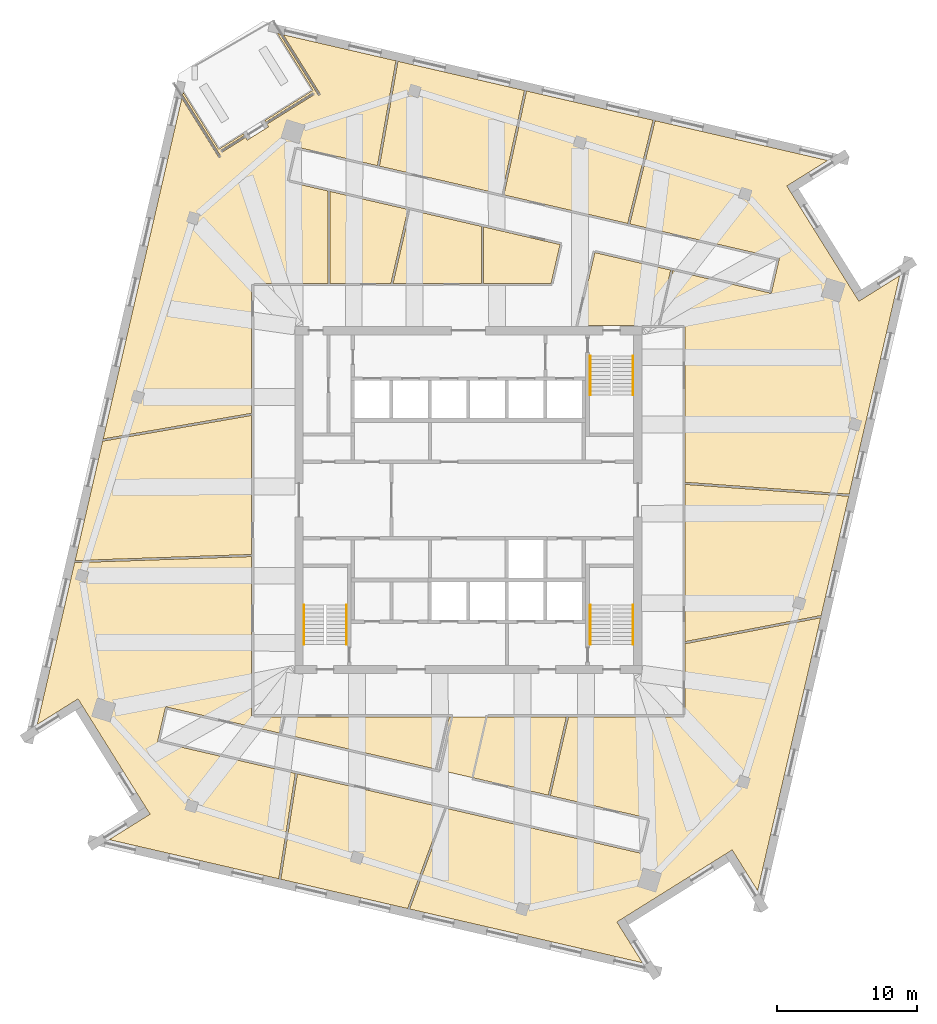
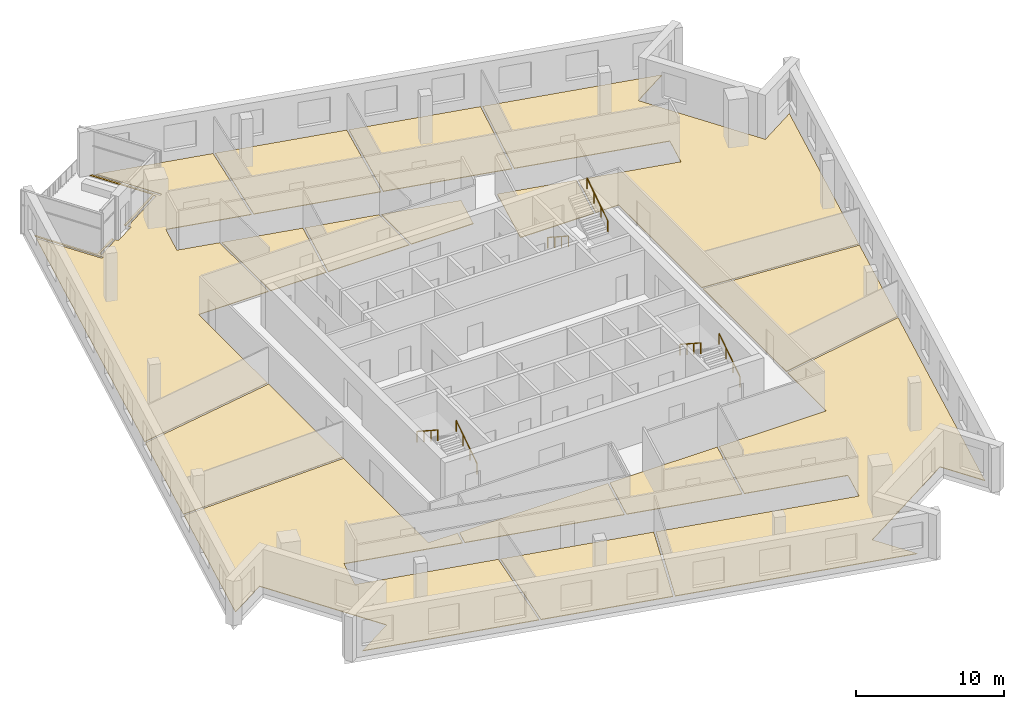
# One storey, part 12 of 14: 15 coverings, 6 railings.
"""IFC4 building model written with IfcOpenShell, lengths in metres."""

from ifc_helpers import new_model, si_unit, direction, frame, origin, origin_2d, place, context, subcontext, project, spatial, polyline, circle, outline, extrude, material, layer, layer_set, type_object, element, save


model = new_model("IFC4")

# Units and contexts
model_context = context("Model", 3, precision=1e-05, world=origin(), true_north=direction((0.0, 1.0)))
body_context = subcontext(model_context, "Body", "Model", "MODEL_VIEW")
ifc_project = project(units=[si_unit("LENGTHUNIT", "METRE"), si_unit("AREAUNIT", "SQUARE_METRE"), si_unit("VOLUMEUNIT", "CUBIC_METRE"), si_unit("PLANEANGLEUNIT", "RADIAN"), si_unit("MASSUNIT", "GRAM", prefix="KILO")], contexts=[model_context])

# Site, building, storey
site_placement = place(None, origin())
site = spatial("IfcSite", under=ifc_project, at=site_placement, CompositionType="ELEMENT")
building_placement = place(site_placement, origin())
building = spatial("IfcBuilding", under=site, at=building_placement, Name="Dilmun Exchange Tower", CompositionType="ELEMENT")
storey_placement = place(building_placement, frame((0.0, 0.0, 332.5)))
storey = spatial("IfcBuildingStorey", under=building, at=storey_placement, Name="L79", CompositionType="ELEMENT", Elevation=332.5)

# Coverings
ifc_material_1 = material(Name="Carpet floor finish 50")
ifc_layer_1 = layer(ifc_material_1, 0.050048828125)
ifc_layer_set_1 = layer_set([ifc_layer_1], Name="Carpet floor finish 50")
covering_type_1 = type_object("IfcCoveringType", Name="Carpet floor finish 50", PredefinedType="FLOORING", material=ifc_layer_set_1)
covering_1_placement = place(storey_placement, origin())
element("IfcCovering", 1, at=covering_1_placement, inside=storey, type_object=covering_type_1, Name="Carpet floor finish 50 Garden lounge", PredefinedType="FLOORING", context=body_context, shape_type="SweptSolid", body=[
    extrude(outline(polyline([(-17.828369140625, 25.053955078125), (-16.07958984375, 26.146728515625), (-16.00390625, 26.025390625), (-17.689208984375, 24.972412109375), (-17.689208984375, 24.972412109375), (-17.689453125, 24.97216796875), (-17.689453125, 24.97216796875), (-17.689697265625, 24.971923828125), (-17.689697265625, 24.9716796875), (-17.689697265625, 24.9716796875), (-17.68994140625, 24.971435546875), (-17.68994140625, 24.97119140625), (-17.68994140625, 24.970947265625), (-17.68994140625, 24.970703125), (-17.68994140625, 24.970703125), (-17.68994140625, 24.970458984375), (-17.68994140625, 24.97021484375), (-17.68994140625, 24.969970703125), (-17.689697265625, 24.969970703125), (-17.689697265625, 24.9697265625), (-17.60498046875, 24.833984375), (-17.604736328125, 24.833740234375), (-17.604736328125, 24.833740234375), (-17.6044921875, 24.83349609375), (-17.6044921875, 24.83349609375), (-17.604248046875, 24.833251953125), (-17.60400390625, 24.833251953125), (-17.603759765625, 24.833251953125), (-17.603759765625, 24.8330078125), (-17.603515625, 24.8330078125), (-17.603271484375, 24.8330078125), (-17.60302734375, 24.8330078125), (-17.602783203125, 24.8330078125), (-17.602783203125, 24.8330078125), (-17.6025390625, 24.833251953125), (-17.602294921875, 24.833251953125), (-17.60205078125, 24.83349609375), (-15.9169921875, 25.88623046875), (-15.801513671875, 25.701416015625), (-15.80126953125, 25.701416015625), (-15.80126953125, 25.701171875), (-15.801025390625, 25.700927734375), (-15.80078125, 25.700927734375), (-15.80078125, 25.70068359375), (-15.800537109375, 25.70068359375), (-15.80029296875, 25.70068359375), (-15.80029296875, 25.700439453125), (-15.800048828125, 25.700439453125), (-15.7998046875, 25.700439453125), (-15.799560546875, 25.700439453125), (-15.79931640625, 25.700439453125), (-15.79931640625, 25.70068359375), (-15.799072265625, 25.70068359375), (-15.798828125, 25.70068359375), (-15.798583984375, 25.70068359375), (-14.272216796875, 26.65478515625), (-14.27197265625, 26.65478515625), (-14.271728515625, 26.65478515625), (-14.271728515625, 26.655029296875), (-14.271484375, 26.6552734375), (-14.271484375, 26.655517578125), (-14.271484375, 26.655517578125), (-14.271240234375, 26.65576171875), (-14.271240234375, 26.656005859375), (-14.271240234375, 26.656005859375), (-14.271240234375, 26.65625), (-14.271240234375, 26.656494140625), (-14.271240234375, 26.65673828125), (-14.271240234375, 26.656982421875), (-14.271240234375, 26.656982421875), (-14.271484375, 26.6572265625), (-14.271484375, 26.657470703125), (-14.386962890625, 26.84228515625), (-11.005859375, 28.955078125), (-11.005615234375, 28.955322265625), (-11.005615234375, 28.955322265625), (-11.00537109375, 28.95556640625), (-11.00537109375, 28.955810546875), (-11.005126953125, 28.955810546875), (-11.005126953125, 28.9560546875), (-11.0048828125, 28.956298828125), (-11.0048828125, 28.956298828125), (-11.0048828125, 28.95654296875), (-11.0048828125, 28.956787109375), (-11.0048828125, 28.95703125), (-11.0048828125, 28.957275390625), (-11.0048828125, 28.95751953125), (-11.0048828125, 28.95751953125), (-11.005126953125, 28.957763671875), (-11.005126953125, 28.9580078125), (-11.090087890625, 29.093505859375), (-11.090087890625, 29.09375), (-11.090087890625, 29.093994140625), (-11.09033203125, 29.093994140625), (-11.090576171875, 29.09423828125), (-11.0908203125, 29.09423828125), (-11.0908203125, 29.094482421875), (-11.091064453125, 29.094482421875), (-11.09130859375, 29.094482421875), (-11.09130859375, 29.094482421875), (-11.091552734375, 29.094482421875), (-11.091796875, 29.094482421875), (-11.092041015625, 29.094482421875), (-11.09228515625, 29.094482421875), (-11.09228515625, 29.094482421875), (-11.092529296875, 29.09423828125), (-11.0927734375, 29.09423828125), (-14.47412109375, 26.9814453125), (-14.5498046875, 27.102783203125), (-11.10498046875, 29.255126953125), (-13.64599609375, 33.32177734375), (-13.448974609375, 33.276123046875), (-10.705322265625, 28.8857421875), (-10.705322265625, 28.885498046875), (-10.705078125, 28.885498046875), (-10.705078125, 28.88525390625), (-10.704833984375, 28.88525390625), (-10.70458984375, 28.885009765625), (-10.70458984375, 28.885009765625), (-10.704345703125, 28.885009765625), (-10.7041015625, 28.885009765625), (-10.7041015625, 28.884765625), (-10.703857421875, 28.884765625), (-10.70361328125, 28.884765625), (-10.703369140625, 28.884765625), (-10.703125, 28.885009765625), (-10.702880859375, 28.885009765625), (-10.702880859375, 28.885009765625), (-10.70263671875, 28.885009765625), (-10.56689453125, 28.969970703125), (-10.56689453125, 28.969970703125), (-10.566650390625, 28.97021484375), (-10.56640625, 28.97021484375), (-10.56640625, 28.970458984375), (-10.56640625, 28.970703125), (-10.566162109375, 28.970703125), (-10.566162109375, 28.970947265625), (-10.566162109375, 28.97119140625), (-10.566162109375, 28.97119140625), (-10.566162109375, 28.971435546875), (-10.566162109375, 28.9716796875), (-10.566162109375, 28.971923828125), (-10.566162109375, 28.97216796875), (-10.566162109375, 28.972412109375), (-10.56640625, 28.972412109375), (-10.56640625, 28.97265625), (-13.222900390625, 33.22412109375), (-5.1787109375, 31.366943359375), (-6.4990234375, 23.875244140625), (-12.391357421875, 25.235595703125), (-12.96484375, 22.7509765625), (-10.03466796875, 22.074462890625), (-10.03466796875, 15.47509765625), (-15.47509765625, 15.47509765625), (-15.47509765625, 6.197021484375), (-26.0849609375, 4.36376953125), (-20.467041015625, 28.697509765625), (-17.810546875, 24.446044921875), (-17.810302734375, 24.44580078125), (-17.810302734375, 24.44580078125), (-17.810302734375, 24.445556640625), (-17.81005859375, 24.445556640625), (-17.809814453125, 24.4453125), (-17.809814453125, 24.4453125), (-17.8095703125, 24.4453125), (-17.809326171875, 24.4453125), (-17.80908203125, 24.445068359375), (-17.808837890625, 24.445068359375), (-17.80859375, 24.445068359375), (-17.80859375, 24.445068359375), (-17.808349609375, 24.4453125), (-17.80810546875, 24.4453125), (-17.80810546875, 24.4453125), (-17.807861328125, 24.4453125), (-17.672119140625, 24.5302734375), (-17.671875, 24.5302734375), (-17.671875, 24.530517578125), (-17.671630859375, 24.530517578125), (-17.67138671875, 24.53076171875), (-17.67138671875, 24.531005859375), (-17.67138671875, 24.531005859375), (-17.67138671875, 24.53125), (-17.671142578125, 24.531494140625), (-17.671142578125, 24.531494140625), (-17.671142578125, 24.53173828125), (-17.671142578125, 24.531982421875), (-17.671142578125, 24.5322265625), (-17.671142578125, 24.532470703125), (-17.67138671875, 24.53271484375), (-17.67138671875, 24.53271484375), (-17.67138671875, 24.532958984375), (-20.414794921875, 28.92333984375), (-20.369384765625, 29.120361328125), (-17.828369140625, 25.053955078125)])), origin(), (0.0, 0.0, 1.0), 0.050048828125),
])
covering_2_placement = place(storey_placement, origin())
element("IfcCovering", 2, at=covering_2_placement, inside=storey, type_object=covering_type_1, Name="Carpet floor finish 50 Headquarters office 1", PredefinedType="FLOORING", context=body_context, shape_type="SweptSolid", body=[
    extrude(outline(polyline([(-12.215576171875, -19.5546875), (-1.699951171875, -21.982421875), (-4.341796875, -29.1689453125), (-13.39794921875, -27.078125), (-12.215576171875, -19.5546875)])), origin(), (0.0, 0.0, 1.0), 0.050048828125),
])
covering_3_placement = place(storey_placement, origin())
element("IfcCovering", 3, at=covering_3_placement, inside=storey, type_object=covering_type_1, Name="Carpet floor finish 50 Prayer room", PredefinedType="FLOORING", context=body_context, shape_type="SweptSolid", body=[
    extrude(outline(polyline([(-5.537841796875, 15.47509765625), (-9.884765625, 15.47509765625), (-9.884765625, 22.039794921875), (-4.319091796875, 20.7548828125), (-5.537841796875, 15.47509765625)])), origin(), (0.0, 0.0, 1.0), 0.050048828125),
])
covering_4_placement = place(storey_placement, origin())
element("IfcCovering", 4, at=covering_4_placement, inside=storey, type_object=covering_type_1, Name="Carpet floor finish 50 Executive office", PredefinedType="FLOORING", context=body_context, shape_type="SweptSolid", body=[
    extrude(outline(polyline([(-13.335205078125, -16.67919921875), (-13.05712890625, -15.47509765625), (-1.514404296875, -15.47509765625), (-2.37646484375, -19.208984375), (-13.335205078125, -16.67919921875)])), origin(), (0.0, 0.0, 1.0), 0.050048828125),
])
covering_5_placement = place(storey_placement, origin())
element("IfcCovering", 5, at=covering_5_placement, inside=storey, type_object=covering_type_1, Name="Carpet floor finish 50 Break-out lounge 1", PredefinedType="FLOORING", context=body_context, shape_type="SweptSolid", body=[
    extrude(outline(polyline([(0.91552734375, 15.47509765625), (-5.384033203125, 15.47509765625), (-4.1728515625, 20.72119140625), (0.91552734375, 19.54638671875), (0.91552734375, 15.47509765625)])), origin(), (0.0, 0.0, 1.0), 0.050048828125),
])
covering_6_placement = place(storey_placement, origin())
element("IfcCovering", 6, at=covering_6_placement, inside=storey, type_object=covering_type_1, Name="Carpet floor finish 50 Break-out lounge 2", PredefinedType="FLOORING", context=body_context, shape_type="SweptSolid", body=[
    extrude(outline(polyline([(-2.23046875, -19.242919921875), (-1.360595703125, -15.47509765625), (6.99560546875, -15.47509765625), (5.702880859375, -21.074462890625), (-2.23046875, -19.242919921875)])), origin(), (0.0, 0.0, 1.0), 0.050048828125),
])
covering_7_placement = place(storey_placement, origin())
element("IfcCovering", 7, at=covering_7_placement, inside=storey, type_object=covering_type_1, Name="Carpet floor finish 50 Headquarters office 2", PredefinedType="FLOORING", context=body_context, shape_type="SweptSolid", body=[
    extrude(outline(polyline([(-1.552490234375, -22.016357421875), (12.391357421875, -25.235595703125), (12.96484375, -22.7509765625), (5.84912109375, -21.108154296875), (7.149658203125, -15.47509765625), (15.47509765625, -15.47509765625), (15.47509765625, -10.25927734375), (25.15283203125, -8.40087890625), (20.65185546875, -27.89697265625), (18.8330078125, -24.986328125), (18.8330078125, -24.986083984375), (18.8330078125, -24.986083984375), (18.832763671875, -24.98583984375), (18.83251953125, -24.985595703125), (18.83251953125, -24.985595703125), (18.832275390625, -24.985595703125), (18.83203125, -24.9853515625), (18.831787109375, -24.9853515625), (18.831787109375, -24.9853515625), (18.83154296875, -24.9853515625), (18.831298828125, -24.9853515625), (18.8310546875, -24.9853515625), (18.830810546875, -24.9853515625), (18.830810546875, -24.985595703125), (18.83056640625, -24.985595703125), (18.830322265625, -24.985595703125), (18.32177734375, -25.303466796875), (18.321533203125, -25.303466796875), (18.321533203125, -25.3037109375), (11.113525390625, -29.8076171875), (11.11328125, -29.8076171875), (11.11328125, -29.8076171875), (11.113037109375, -29.807861328125), (10.604248046875, -30.125732421875), (10.60400390625, -30.1259765625), (10.60400390625, -30.1259765625), (10.603759765625, -30.126220703125), (10.603759765625, -30.126220703125), (10.603515625, -30.12646484375), (10.603515625, -30.126708984375), (10.603515625, -30.126708984375), (10.603271484375, -30.126953125), (10.603271484375, -30.127197265625), (10.603271484375, -30.12744140625), (10.603271484375, -30.127685546875), (10.603271484375, -30.127685546875), (10.603515625, -30.1279296875), (10.603515625, -30.128173828125), (10.603515625, -30.12841796875), (10.603515625, -30.12841796875), (12.42236328125, -33.039306640625), (-4.1943359375, -29.202880859375), (-1.552490234375, -22.016357421875)])), origin(), (0.0, 0.0, 1.0), 0.050048828125),
])
covering_8_placement = place(storey_placement, origin())
element("IfcCovering", 8, at=covering_8_placement, inside=storey, type_object=covering_type_1, Name="Carpet floor finish 50 Headquarters office 3", PredefinedType="FLOORING", context=body_context, shape_type="SweptSolid", body=[
    extrude(outline(polyline([(15.47509765625, 1.26953125), (15.47509765625, 12.47509765625), (13.685791015625, 12.47509765625), (14.589599609375, 16.389404296875), (21.626220703125, 14.764892578125), (22.19970703125, 17.24951171875), (11.518310546875, 19.715576171875), (13.32958984375, 27.093994140625), (25.648681640625, 24.25), (22.738037109375, 22.430908203125), (22.73779296875, 22.430908203125), (22.73779296875, 22.430908203125), (22.737548828125, 22.4306640625), (22.7373046875, 22.430419921875), (22.7373046875, 22.430419921875), (22.7373046875, 22.43017578125), (22.737060546875, 22.429931640625), (22.737060546875, 22.4296875), (22.737060546875, 22.4296875), (22.737060546875, 22.429443359375), (22.737060546875, 22.42919921875), (22.737060546875, 22.428955078125), (22.737060546875, 22.4287109375), (22.7373046875, 22.4287109375), (22.7373046875, 22.428466796875), (22.7373046875, 22.42822265625), (23.055419921875, 21.91943359375), (23.055419921875, 21.919189453125), (23.055419921875, 21.919189453125), (27.5595703125, 14.711181640625), (27.559814453125, 14.7109375), (27.559814453125, 14.710693359375), (27.877685546875, 14.2021484375), (27.877685546875, 14.2021484375), (27.877685546875, 14.201904296875), (27.8779296875, 14.201904296875), (27.878173828125, 14.20166015625), (27.87841796875, 14.201416015625), (27.87841796875, 14.201416015625), (27.878662109375, 14.201416015625), (27.87890625, 14.201416015625), (27.87890625, 14.201416015625), (27.879150390625, 14.201416015625), (27.87939453125, 14.201416015625), (27.879638671875, 14.201416015625), (27.8798828125, 14.201416015625), (27.8798828125, 14.201416015625), (27.880126953125, 14.201416015625), (27.88037109375, 14.20166015625), (30.791015625, 16.020263671875), (27.189208984375, 0.418701171875), (15.47509765625, 1.26953125)])), origin(), (0.0, 0.0, 1.0), 0.050048828125),
])
ifc_material_2 = material(Name="Rubber floor finish 50")
ifc_layer_2 = layer(ifc_material_2, 0.050048828125)
ifc_layer_set_2 = layer_set([ifc_layer_2], Name="Rubber floor finish 50")
covering_type_2 = type_object("IfcCoveringType", Name="Rubber floor finish 50", PredefinedType="FLOORING", material=ifc_layer_set_2)
covering_9_placement = place(storey_placement, origin())
element("IfcCovering", 9, at=covering_9_placement, inside=storey, type_object=covering_type_2, Name="Rubber floor finish 50 Fitness room 1", PredefinedType="FLOORING", context=body_context, shape_type="SweptSolid", body=[
    extrude(outline(polyline([(-15.47509765625, 6.044921875), (-15.47509765625, -3.885498046875), (-28.089599609375, -4.31884765625), (-26.12158203125, 4.205322265625), (-15.47509765625, 6.044921875)])), origin(), (0.0, 0.0, 1.0), 0.050048828125),
])
covering_10_placement = place(storey_placement, origin())
element("IfcCovering", 10, at=covering_10_placement, inside=storey, type_object=covering_type_2, Name="Rubber floor finish 50 Fitness room 2", PredefinedType="FLOORING", context=body_context, shape_type="SweptSolid", body=[
    extrude(outline(polyline([(2.388671875, 21.8232421875), (-6.352783203125, 23.841552734375), (-5.0322265625, 31.3330078125), (3.9990234375, 29.248046875), (2.388671875, 21.8232421875)])), origin(), (0.0, 0.0, 1.0), 0.050048828125),
])
covering_11_placement = place(storey_placement, origin())
element("IfcCovering", 11, at=covering_11_placement, inside=storey, type_object=covering_type_2, Name="Rubber floor finish 50 Fitness room 3", PredefinedType="FLOORING", context=body_context, shape_type="SweptSolid", body=[
    extrude(outline(polyline([(15.47509765625, -10.1064453125), (15.47509765625, 1.119140625), (27.15478515625, 0.27099609375), (25.189697265625, -8.2412109375), (15.47509765625, -10.1064453125)])), origin(), (0.0, 0.0, 1.0), 0.050048828125),
])

# Railings
ifc_material_3 = material(Name="Stainless steel", Category="steel")
railing_type = type_object("IfcRailingType", Name="Stair handrail 900", PredefinedType="HANDRAIL", material=ifc_material_3)
railing_1_placement = place(storey_placement, frame((8.699951171875, 10.300048828125, 0.181884765625)))
element("IfcRailing", 12, at=railing_1_placement, inside=storey, type_object=railing_type, Name="L79 ST1 stair handrail 1", PredefinedType="HANDRAIL", context=body_context, shape_type="SweptSolid", body=[
    extrude(circle(Radius=0.02392578125, at=origin_2d()), frame((0.0, 0.0, 0.8759765625), z_axis=(0.0, -0.838705829183, 0.544584733623), x_axis=(1.0, 0.0, 0.0)), (0.0, 0.0, 1.0), 3.338623046875),
    extrude(circle(Radius=0.02099609375, at=origin_2d()), origin(), (0.0, 0.0, 1.0), 0.851806640625),
    extrude(circle(Radius=0.02099609375, at=origin_2d()), frame((0.0, -0.933349609375, 0.60595703125)), (0.0, 0.0, 1.0), 0.851806640625),
    extrude(circle(Radius=0.02099609375, at=origin_2d()), frame((0.0, -1.86669921875, 1.212158203125)), (0.0, 0.0, 1.0), 0.851806640625),
    extrude(circle(Radius=0.02099609375, at=origin_2d()), frame((0.0, -2.800048828125, 1.818115234375)), (0.0, 0.0, 1.0), 0.851806640625),
])
for number, where, name in (
    (13, (11.75, 7.5, 2.181884765625), "L79 ST1 stair handrail 2"),
    (14, (-8.699951171875, -10.300048828125, 0.181884765625), "L79 ST2 stair handrail 1"),
):
    element("IfcRailing", number, at=place(storey_placement, frame(where)), inside=storey, type_object=railing_type, Name=name, PredefinedType="HANDRAIL", context=body_context, shape_type="SweptSolid", body=[
        extrude(circle(Radius=0.02392578125, at=origin_2d()), frame((0.0, 0.0, 0.8759765625), z_axis=(0.0, 0.838705829183, 0.544584733623), x_axis=(-1.0, 0.0, 0.0)), (0.0, 0.0, 1.0), 3.338623046875),
        extrude(circle(Radius=0.02099609375, at=origin_2d()), origin(), (0.0, 0.0, 1.0), 0.851806640625),
        extrude(circle(Radius=0.02099609375, at=origin_2d()), frame((0.0, 0.933349609375, 0.60595703125)), (0.0, 0.0, 1.0), 0.851806640625),
        extrude(circle(Radius=0.02099609375, at=origin_2d()), frame((0.0, 1.86669921875, 1.212158203125)), (0.0, 0.0, 1.0), 0.851806640625),
        extrude(circle(Radius=0.02099609375, at=origin_2d()), frame((0.0, 2.800048828125, 1.818115234375)), (0.0, 0.0, 1.0), 0.851806640625),
    ])
railing_2_placement = place(storey_placement, frame((-11.75, -7.5, 2.181884765625)))
element("IfcRailing", 15, at=railing_2_placement, inside=storey, type_object=railing_type, Name="L79 ST2 stair handrail 2", PredefinedType="HANDRAIL", context=body_context, shape_type="SweptSolid", body=[
    extrude(circle(Radius=0.02392578125, at=origin_2d()), frame((0.0, 0.0, 0.8759765625), z_axis=(0.0, -0.838705829183, 0.544584733623), x_axis=(1.0, 0.0, 0.0)), (0.0, 0.0, 1.0), 3.338623046875),
    extrude(circle(Radius=0.02099609375, at=origin_2d()), origin(), (0.0, 0.0, 1.0), 0.851806640625),
    extrude(circle(Radius=0.02099609375, at=origin_2d()), frame((0.0, -0.933349609375, 0.60595703125)), (0.0, 0.0, 1.0), 0.851806640625),
    extrude(circle(Radius=0.02099609375, at=origin_2d()), frame((0.0, -1.86669921875, 1.212158203125)), (0.0, 0.0, 1.0), 0.851806640625),
    extrude(circle(Radius=0.02099609375, at=origin_2d()), frame((0.0, -2.800048828125, 1.818115234375)), (0.0, 0.0, 1.0), 0.851806640625),
])
railing_3_placement = place(storey_placement, frame((11.75, -10.300048828125, 0.181884765625)))
element("IfcRailing", 16, at=railing_3_placement, inside=storey, type_object=railing_type, Name="L79 ST3 stair handrail 1", PredefinedType="HANDRAIL", context=body_context, shape_type="SweptSolid", body=[
    extrude(circle(Radius=0.02392578125, at=origin_2d()), frame((0.0, 0.0, 0.8759765625), z_axis=(0.0, 0.838705829183, 0.544584733623), x_axis=(-1.0, 0.0, 0.0)), (0.0, 0.0, 1.0), 3.338623046875),
    extrude(circle(Radius=0.02099609375, at=origin_2d()), origin(), (0.0, 0.0, 1.0), 0.851806640625),
    extrude(circle(Radius=0.02099609375, at=origin_2d()), frame((0.0, 0.933349609375, 0.60595703125)), (0.0, 0.0, 1.0), 0.851806640625),
    extrude(circle(Radius=0.02099609375, at=origin_2d()), frame((0.0, 1.86669921875, 1.212158203125)), (0.0, 0.0, 1.0), 0.851806640625),
    extrude(circle(Radius=0.02099609375, at=origin_2d()), frame((0.0, 2.800048828125, 1.818115234375)), (0.0, 0.0, 1.0), 0.851806640625),
])
railing_4_placement = place(storey_placement, frame((8.699951171875, -7.5, 2.181884765625)))
element("IfcRailing", 17, at=railing_4_placement, inside=storey, type_object=railing_type, Name="L79 ST3 stair handrail 2", PredefinedType="HANDRAIL", context=body_context, shape_type="SweptSolid", body=[
    extrude(circle(Radius=0.02392578125, at=origin_2d()), frame((0.0, 0.0, 0.8759765625), z_axis=(0.0, -0.838705829183, 0.544584733623), x_axis=(1.0, 0.0, 0.0)), (0.0, 0.0, 1.0), 3.338623046875),
    extrude(circle(Radius=0.02099609375, at=origin_2d()), origin(), (0.0, 0.0, 1.0), 0.851806640625),
    extrude(circle(Radius=0.02099609375, at=origin_2d()), frame((0.0, -0.933349609375, 0.60595703125)), (0.0, 0.0, 1.0), 0.851806640625),
    extrude(circle(Radius=0.02099609375, at=origin_2d()), frame((0.0, -1.86669921875, 1.212158203125)), (0.0, 0.0, 1.0), 0.851806640625),
    extrude(circle(Radius=0.02099609375, at=origin_2d()), frame((0.0, -2.800048828125, 1.818115234375)), (0.0, 0.0, 1.0), 0.851806640625),
])

# Coverings
ifc_material_4 = material(Name="Stone floor finish 50", Category="masonry")
ifc_layer_3 = layer(ifc_material_4, 0.050048828125)
ifc_layer_set_3 = layer_set([ifc_layer_3], Name="Stone floor finish 50")
covering_type_3 = type_object("IfcCoveringType", Name="Stone floor finish 50", PredefinedType="FLOORING", material=ifc_layer_set_3)
covering_12_placement = place(storey_placement, origin())
element("IfcCovering", 18, at=covering_12_placement, inside=storey, type_object=covering_type_3, Name="Stone floor finish 50 Reception 1", PredefinedType="FLOORING", context=body_context, shape_type="SweptSolid", body=[
    extrude(outline(polyline([(5.900390625, 15.47509765625), (1.0654296875, 15.47509765625), (1.0654296875, 19.51171875), (6.54052734375, 18.247802734375), (5.900390625, 15.47509765625)])), origin(), (0.0, 0.0, 1.0), 0.050048828125),
])
covering_13_placement = place(storey_placement, origin())
element("IfcCovering", 19, at=covering_13_placement, inside=storey, type_object=covering_type_3, Name="Stone floor finish 50 Reception 2", PredefinedType="FLOORING", context=body_context, shape_type="SweptSolid", body=[
    extrude(outline(polyline([(2.534912109375, 21.78955078125), (4.145263671875, 29.21435546875), (13.18359375, 27.127685546875), (11.3720703125, 19.74951171875), (2.534912109375, 21.78955078125)])), origin(), (0.0, 0.0, 1.0), 0.050048828125),
])
ifc_material_5 = material(Name="Tile floor finish 50")
ifc_layer_4 = layer(ifc_material_5, 0.050048828125)
ifc_layer_set_4 = layer_set([ifc_layer_4], Name="Tile floor finish 50")
covering_type_4 = type_object("IfcCoveringType", Name="Tile floor finish 50", PredefinedType="FLOORING", material=ifc_layer_set_4)
covering_14_placement = place(storey_placement, origin())
element("IfcCovering", 20, at=covering_14_placement, inside=storey, type_object=covering_type_4, Name="Tile floor finish 50 Staff restaurant", PredefinedType="FLOORING", context=body_context, shape_type="SweptSolid", body=[
    extrude(outline(polyline([(-12.362060546875, -19.520751953125), (-13.544677734375, -27.044189453125), (-25.648681640625, -24.25), (-22.738037109375, -22.430908203125), (-22.73779296875, -22.430908203125), (-22.73779296875, -22.430908203125), (-22.737548828125, -22.4306640625), (-22.7373046875, -22.430419921875), (-22.7373046875, -22.430419921875), (-22.7373046875, -22.43017578125), (-22.737060546875, -22.429931640625), (-22.737060546875, -22.4296875), (-22.737060546875, -22.4296875), (-22.737060546875, -22.429443359375), (-22.737060546875, -22.42919921875), (-22.737060546875, -22.428955078125), (-22.737060546875, -22.4287109375), (-22.7373046875, -22.4287109375), (-22.7373046875, -22.428466796875), (-22.7373046875, -22.42822265625), (-23.055419921875, -21.91943359375), (-23.055419921875, -21.919189453125), (-23.055419921875, -21.919189453125), (-27.5595703125, -14.711181640625), (-27.559814453125, -14.7109375), (-27.559814453125, -14.710693359375), (-27.877685546875, -14.2021484375), (-27.877685546875, -14.2021484375), (-27.877685546875, -14.201904296875), (-27.8779296875, -14.201904296875), (-27.878173828125, -14.20166015625), (-27.87841796875, -14.201416015625), (-27.87841796875, -14.201416015625), (-27.878662109375, -14.201416015625), (-27.87890625, -14.201416015625), (-27.87890625, -14.201416015625), (-27.879150390625, -14.201416015625), (-27.87939453125, -14.201416015625), (-27.879638671875, -14.201416015625), (-27.8798828125, -14.201416015625), (-27.8798828125, -14.201416015625), (-27.880126953125, -14.201416015625), (-27.88037109375, -14.20166015625), (-30.791015625, -16.020263671875), (-28.12451171875, -4.47021484375), (-15.47509765625, -4.035400390625), (-15.47509765625, -15.47509765625), (-13.211181640625, -15.47509765625), (-13.481201171875, -16.6455078125), (-21.626220703125, -14.764892578125), (-22.19970703125, -17.24951171875), (-12.362060546875, -19.520751953125)])), origin(), (0.0, 0.0, 1.0), 0.050048828125),
])
covering_15_placement = place(storey_placement, origin())
element("IfcCovering", 21, at=covering_15_placement, inside=storey, type_object=covering_type_4, Name="Tile floor finish 50 Pantry", PredefinedType="FLOORING", context=body_context, shape_type="SweptSolid", body=[
    extrude(outline(polyline([(14.443603515625, 16.423095703125), (13.531982421875, 12.47509765625), (7.82470703125, 12.47509765625), (9.025146484375, 17.674072265625), (14.443603515625, 16.423095703125)])), origin(), (0.0, 0.0, 1.0), 0.050048828125),
])

save(model, "model.ifc")
